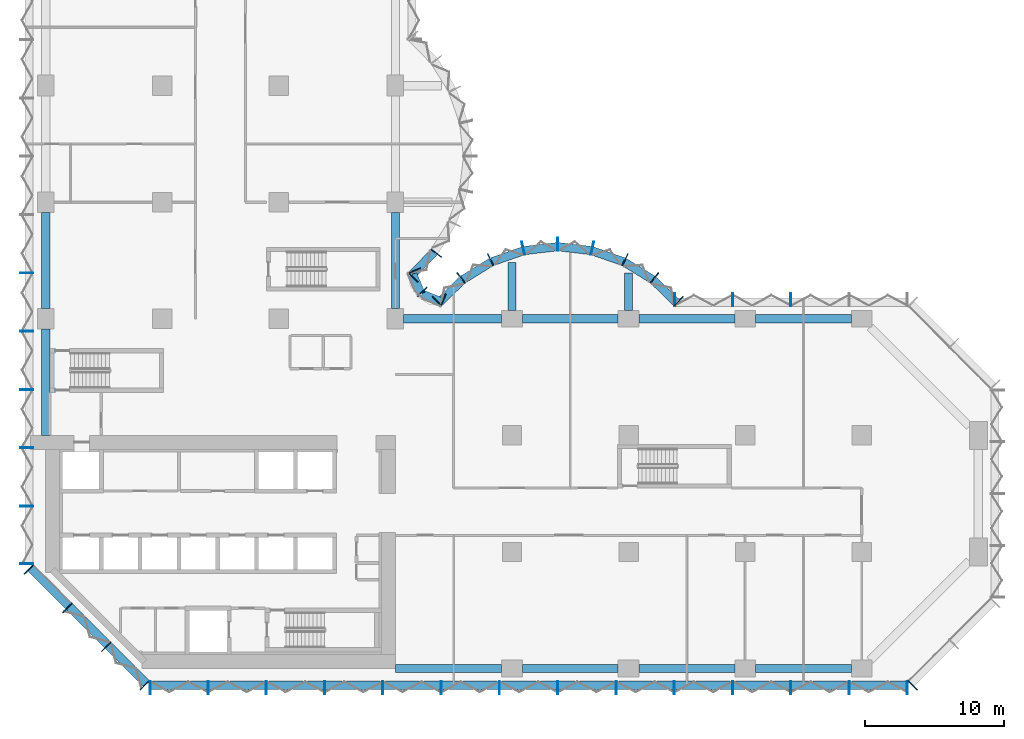
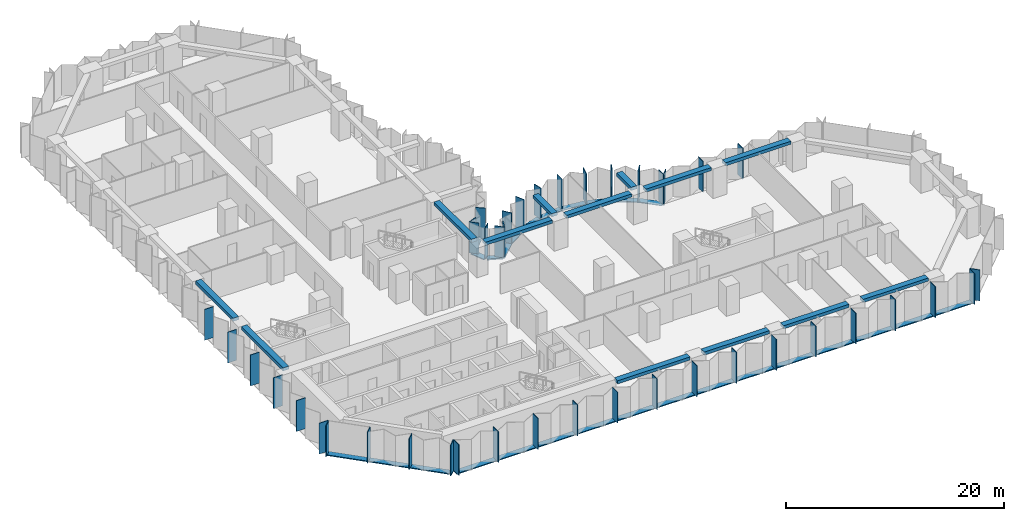
# One storey, part 2 of 15: 55 members, 13 beams, 8 elements without a shape of their own.
"""IFC4 building model written with IfcOpenShell, lengths in metres."""

from ifc_helpers import new_model, si_unit, direction, frame, origin, origin_2d, place, context, subcontext, project, spatial, rectangle, extrude, material, material_profile, profile_set, type_object, element, aggregate, save


model = new_model("IFC4")

# Units and contexts
model_context = context("Model", 3, precision=1e-05, world=origin(), true_north=direction((0.0, 1.0)))
body_context = subcontext(model_context, "Body", "Model", "MODEL_VIEW")
ifc_project = project(units=[si_unit("LENGTHUNIT", "METRE"), si_unit("AREAUNIT", "SQUARE_METRE"), si_unit("VOLUMEUNIT", "CUBIC_METRE"), si_unit("PLANEANGLEUNIT", "RADIAN"), si_unit("MASSUNIT", "GRAM", prefix="KILO")], contexts=[model_context])

# Site, building, storey
site_placement = place(None, origin())
site = spatial("IfcSite", under=ifc_project, at=site_placement, CompositionType="ELEMENT")
building_placement = place(site_placement, origin())
building = spatial("IfcBuilding", under=site, at=building_placement, Name="Brevane Broadcast Tower", CompositionType="ELEMENT")
storey_placement = place(building_placement, frame((0.0, 0.0, 83.300048828125)))
storey = spatial("IfcBuildingStorey", under=building, at=storey_placement, Name="L19", CompositionType="ELEMENT", Elevation=83.300048828125)

# Curtain wall, members
ifc_material_1 = material(Name="Aluminium 6063-T6 bronze anodised", Category="aluminium")
curtain_wall_type = type_object("IfcCurtainWallType", Name="CW-1 curtain wall", PredefinedType="NOTDEFINED", material=ifc_material_1)
curtain_wall_1_placement = place(storey_placement, origin())
curtain_wall_1 = element("IfcCurtainWall", 1, at=curtain_wall_1_placement, inside=storey, type_object=curtain_wall_type, Name="CW-1 typical tilted unit L19 south face", PredefinedType="NOTDEFINED")
ifc_material_profile_1 = material_profile(ifc_material_1, rectangle(XDim=0.949951171875, YDim=0.070068359375, at=origin_2d()), Name="RECT 70x950")
ifc_profile_set_1 = profile_set([ifc_material_profile_1], Name="Aluminium 6063-T6 bronze anodised")
member_type_1 = type_object("IfcMemberType", Name="CW-1 mullion 70x950", PredefinedType="MULLION", material=ifc_profile_set_1)
member_1_placement = place(storey_placement, frame((7.534912109375, -1.375, -0.150146484375), z_axis=(0.0, 0.0, 1.0), x_axis=(0.0, 1.0, 0.0)))
member_1 = element("IfcMember", 2, at=member_1_placement, type_object=member_type_1, Name="CW-1 mullion", PredefinedType="MULLION", context=body_context, shape_type="SweptSolid", body=[
    extrude(rectangle(XDim=0.949951171875, YDim=0.070068359375, at=origin_2d()), origin(), (0.0, 0.0, 1.0), 3.4501953125),
])
member_2_placement = place(storey_placement, frame((11.699951171875, -1.375, -0.150146484375), z_axis=(0.0, 0.0, 1.0), x_axis=(0.0, 1.0, 0.0)))
member_2 = element("IfcMember", 3, at=member_2_placement, type_object=member_type_1, Name="CW-1 mullion", PredefinedType="MULLION", context=body_context, shape_type="SweptSolid", body=[
    extrude(rectangle(XDim=0.949951171875, YDim=0.070068359375, at=origin_2d()), origin(), (0.0, 0.0, 1.0), 3.4501953125),
])
member_3_placement = place(storey_placement, frame((15.89990234375, -1.375, -0.150146484375), z_axis=(0.0, 0.0, 1.0), x_axis=(0.0, 1.0, 0.0)))
member_3 = element("IfcMember", 4, at=member_3_placement, type_object=member_type_1, Name="CW-1 mullion", PredefinedType="MULLION", context=body_context, shape_type="SweptSolid", body=[
    extrude(rectangle(XDim=0.949951171875, YDim=0.070068359375, at=origin_2d()), origin(), (0.0, 0.0, 1.0), 3.4501953125),
])
member_4_placement = place(storey_placement, frame((20.10009765625, -1.375, -0.150146484375), z_axis=(0.0, 0.0, 1.0), x_axis=(0.0, 1.0, 0.0)))
member_4 = element("IfcMember", 5, at=member_4_placement, type_object=member_type_1, Name="CW-1 mullion", PredefinedType="MULLION", context=body_context, shape_type="SweptSolid", body=[
    extrude(rectangle(XDim=0.949951171875, YDim=0.070068359375, at=origin_2d()), origin(), (0.0, 0.0, 1.0), 3.4501953125),
])
member_5_placement = place(storey_placement, frame((24.300048828125, -1.375, -0.150146484375), z_axis=(0.0, 0.0, 1.0), x_axis=(0.0, 1.0, 0.0)))
member_5 = element("IfcMember", 6, at=member_5_placement, type_object=member_type_1, Name="CW-1 mullion", PredefinedType="MULLION", context=body_context, shape_type="SweptSolid", body=[
    extrude(rectangle(XDim=0.949951171875, YDim=0.070068359375, at=origin_2d()), origin(), (0.0, 0.0, 1.0), 3.4501953125),
])
member_6_placement = place(storey_placement, frame((28.5, -1.375, -0.150146484375), z_axis=(0.0, 0.0, 1.0), x_axis=(0.0, 1.0, 0.0)))
member_6 = element("IfcMember", 7, at=member_6_placement, type_object=member_type_1, Name="CW-1 mullion", PredefinedType="MULLION", context=body_context, shape_type="SweptSolid", body=[
    extrude(rectangle(XDim=0.949951171875, YDim=0.070068359375, at=origin_2d()), origin(), (0.0, 0.0, 1.0), 3.4501953125),
])
member_7_placement = place(storey_placement, frame((32.699951171875, -1.375, -0.150146484375), z_axis=(0.0, 0.0, 1.0), x_axis=(0.0, 1.0, 0.0)))
member_7 = element("IfcMember", 8, at=member_7_placement, type_object=member_type_1, Name="CW-1 mullion", PredefinedType="MULLION", context=body_context, shape_type="SweptSolid", body=[
    extrude(rectangle(XDim=0.949951171875, YDim=0.070068359375, at=origin_2d()), origin(), (0.0, 0.0, 1.0), 3.4501953125),
])
member_8_placement = place(storey_placement, frame((36.89990234375, -1.375, -0.150146484375), z_axis=(0.0, 0.0, 1.0), x_axis=(0.0, 1.0, 0.0)))
member_8 = element("IfcMember", 9, at=member_8_placement, type_object=member_type_1, Name="CW-1 mullion", PredefinedType="MULLION", context=body_context, shape_type="SweptSolid", body=[
    extrude(rectangle(XDim=0.949951171875, YDim=0.070068359375, at=origin_2d()), origin(), (0.0, 0.0, 1.0), 3.4501953125),
])
member_9_placement = place(storey_placement, frame((41.10009765625, -1.375, -0.150146484375), z_axis=(0.0, 0.0, 1.0), x_axis=(0.0, 1.0, 0.0)))
member_9 = element("IfcMember", 10, at=member_9_placement, type_object=member_type_1, Name="CW-1 mullion", PredefinedType="MULLION", context=body_context, shape_type="SweptSolid", body=[
    extrude(rectangle(XDim=0.949951171875, YDim=0.070068359375, at=origin_2d()), origin(), (0.0, 0.0, 1.0), 3.4501953125),
])
member_10_placement = place(storey_placement, frame((45.300048828125, -1.375, -0.150146484375), z_axis=(0.0, 0.0, 1.0), x_axis=(0.0, 1.0, 0.0)))
member_10 = element("IfcMember", 11, at=member_10_placement, type_object=member_type_1, Name="CW-1 mullion", PredefinedType="MULLION", context=body_context, shape_type="SweptSolid", body=[
    extrude(rectangle(XDim=0.949951171875, YDim=0.070068359375, at=origin_2d()), origin(), (0.0, 0.0, 1.0), 3.4501953125),
])
member_11_placement = place(storey_placement, frame((49.5, -1.375, -0.150146484375), z_axis=(0.0, 0.0, 1.0), x_axis=(0.0, 1.0, 0.0)))
member_11 = element("IfcMember", 12, at=member_11_placement, type_object=member_type_1, Name="CW-1 mullion", PredefinedType="MULLION", context=body_context, shape_type="SweptSolid", body=[
    extrude(rectangle(XDim=0.949951171875, YDim=0.070068359375, at=origin_2d()), origin(), (0.0, 0.0, 1.0), 3.4501953125),
])
member_12_placement = place(storey_placement, frame((53.699951171875, -1.375, -0.150146484375), z_axis=(0.0, 0.0, 1.0), x_axis=(0.0, 1.0, 0.0)))
member_12 = element("IfcMember", 13, at=member_12_placement, type_object=member_type_1, Name="CW-1 mullion", PredefinedType="MULLION", context=body_context, shape_type="SweptSolid", body=[
    extrude(rectangle(XDim=0.949951171875, YDim=0.070068359375, at=origin_2d()), origin(), (0.0, 0.0, 1.0), 3.4501953125),
])
member_13_placement = place(storey_placement, frame((57.89990234375, -1.375, -0.150146484375), z_axis=(0.0, 0.0, 1.0), x_axis=(0.0, 1.0, 0.0)))
member_13 = element("IfcMember", 14, at=member_13_placement, type_object=member_type_1, Name="CW-1 mullion", PredefinedType="MULLION", context=body_context, shape_type="SweptSolid", body=[
    extrude(rectangle(XDim=0.949951171875, YDim=0.070068359375, at=origin_2d()), origin(), (0.0, 0.0, 1.0), 3.4501953125),
])
member_14_placement = place(storey_placement, frame((62.06494140625, -1.375, -0.150146484375), z_axis=(0.0, 0.0, 1.0), x_axis=(0.0, 1.0, 0.0)))
member_14 = element("IfcMember", 15, at=member_14_placement, type_object=member_type_1, Name="CW-1 mullion", PredefinedType="MULLION", context=body_context, shape_type="SweptSolid", body=[
    extrude(rectangle(XDim=0.949951171875, YDim=0.070068359375, at=origin_2d()), origin(), (0.0, 0.0, 1.0), 3.4501953125),
])

# Curtain wall, member
curtain_wall_2_placement = place(storey_placement, origin())
curtain_wall_2 = element("IfcCurtainWall", 16, at=curtain_wall_2_placement, inside=storey, type_object=curtain_wall_type, Name="CW-1 typical tilted unit L19 south-east chamfer", PredefinedType="NOTDEFINED")
member_15_placement = place(storey_placement, frame((62.460693359375, -1.211181640625, -0.150146484375), z_axis=(0.0, 0.0, 1.0), x_axis=(-0.707106781187, 0.707106781187, 0.0)))
member_15 = element("IfcMember", 17, at=member_15_placement, type_object=member_type_1, Name="CW-1 mullion", PredefinedType="MULLION", context=body_context, shape_type="SweptSolid", body=[
    extrude(rectangle(XDim=0.949951171875, YDim=0.070068359375, at=origin_2d()), origin(), (0.0, 0.0, 1.0), 3.4501953125),
])
aggregate(curtain_wall_2, [member_15])

# Curtain wall, members
curtain_wall_3_placement = place(storey_placement, origin())
curtain_wall_3 = element("IfcCurtainWall", 18, at=curtain_wall_3_placement, inside=storey, type_object=curtain_wall_type, Name="CW-1 typical tilted unit L19 east arm north face", PredefinedType="NOTDEFINED")
member_16_placement = place(storey_placement, frame((53.699951171875, 26.574951171875, -0.150146484375), z_axis=(0.0, 0.0, 1.0), x_axis=(0.0, -1.0, 0.0)))
member_16 = element("IfcMember", 19, at=member_16_placement, type_object=member_type_1, Name="CW-1 mullion", PredefinedType="MULLION", context=body_context, shape_type="SweptSolid", body=[
    extrude(rectangle(XDim=0.949951171875, YDim=0.070068359375, at=origin_2d()), origin(), (0.0, 0.0, 1.0), 3.4501953125),
])
member_17_placement = place(storey_placement, frame((49.5, 26.574951171875, -0.150146484375), z_axis=(0.0, 0.0, 1.0), x_axis=(0.0, -1.0, 0.0)))
member_17 = element("IfcMember", 20, at=member_17_placement, type_object=member_type_1, Name="CW-1 mullion", PredefinedType="MULLION", context=body_context, shape_type="SweptSolid", body=[
    extrude(rectangle(XDim=0.949951171875, YDim=0.070068359375, at=origin_2d()), origin(), (0.0, 0.0, 1.0), 3.4501953125),
])
member_18_placement = place(storey_placement, frame((45.3349609375, 26.574951171875, -0.150146484375), z_axis=(0.0, 0.0, 1.0), x_axis=(0.0, -1.0, 0.0)))
member_18 = element("IfcMember", 21, at=member_18_placement, type_object=member_type_1, Name="CW-1 mullion", PredefinedType="MULLION", context=body_context, shape_type="SweptSolid", body=[
    extrude(rectangle(XDim=0.949951171875, YDim=0.070068359375, at=origin_2d()), origin(), (0.0, 0.0, 1.0), 3.4501953125),
])
aggregate(curtain_wall_3, [member_16, member_17, member_18])

curtain_wall_4_placement = place(storey_placement, origin())
curtain_wall_4 = element("IfcCurtainWall", 22, at=curtain_wall_4_placement, inside=storey, type_object=curtain_wall_type, Name="CW-1 typical tilted unit L19 east bow", PredefinedType="NOTDEFINED")
member_19_placement = place(storey_placement, frame((45.60595703125, 26.465087890625, -0.150146484375), z_axis=(0.0, 0.0, 1.0), x_axis=(-0.696811941702, -0.717253872699, 0.0)))
member_19 = element("IfcMember", 23, at=member_19_placement, type_object=member_type_1, Name="CW-1 mullion", PredefinedType="MULLION", context=body_context, shape_type="SweptSolid", body=[
    extrude(rectangle(XDim=0.949951171875, YDim=0.070068359375, at=origin_2d()), origin(), (0.0, 0.0, 1.0), 3.4501953125),
])
member_20_placement = place(storey_placement, frame((43.8720703125, 28.1455078125, -0.150146484375), z_axis=(0.0, 0.0, 1.0), x_axis=(-0.614769738617, -0.788706642853, 0.0)))
member_20 = element("IfcMember", 24, at=member_20_placement, type_object=member_type_1, Name="CW-1 mullion", PredefinedType="MULLION", context=body_context, shape_type="SweptSolid", body=[
    extrude(rectangle(XDim=0.949951171875, YDim=0.070068359375, at=origin_2d()), origin(), (0.0, 0.0, 1.0), 3.4501953125),
])
member_21_placement = place(storey_placement, frame((41.746826171875, 29.4580078125, -0.150146484375), z_axis=(0.0, 0.0, 1.0), x_axis=(-0.429933601163, -0.902860508933, 0.0)))
member_21 = element("IfcMember", 25, at=member_21_placement, type_object=member_type_1, Name="CW-1 mullion", PredefinedType="MULLION", context=body_context, shape_type="SweptSolid", body=[
    extrude(rectangle(XDim=0.949951171875, YDim=0.070068359375, at=origin_2d()), origin(), (0.0, 0.0, 1.0), 3.4501953125),
])
member_22_placement = place(storey_placement, frame((39.38818359375, 30.28076171875, -0.150146484375), z_axis=(0.0, 0.0, 1.0), x_axis=(-0.224806482215, -0.974403430594, 0.0)))
member_22 = element("IfcMember", 26, at=member_22_placement, type_object=member_type_1, Name="CW-1 mullion", PredefinedType="MULLION", context=body_context, shape_type="SweptSolid", body=[
    extrude(rectangle(XDim=0.949951171875, YDim=0.070068359375, at=origin_2d()), origin(), (0.0, 0.0, 1.0), 3.4501953125),
])
member_23_placement = place(storey_placement, frame((36.89990234375, 30.574951171875, -0.150146484375), z_axis=(0.0, 0.0, 1.0), x_axis=(0.0, -1.0, 0.0)))
member_23 = element("IfcMember", 27, at=member_23_placement, type_object=member_type_1, Name="CW-1 mullion", PredefinedType="MULLION", context=body_context, shape_type="SweptSolid", body=[
    extrude(rectangle(XDim=0.949951171875, YDim=0.070068359375, at=origin_2d()), origin(), (0.0, 0.0, 1.0), 3.4501953125),
])
member_24_placement = place(storey_placement, frame((34.411865234375, 30.28076171875, -0.150146484375), z_axis=(0.0, 0.0, 1.0), x_axis=(0.224806482215, -0.974403430594, 0.0)))
member_24 = element("IfcMember", 28, at=member_24_placement, type_object=member_type_1, Name="CW-1 mullion", PredefinedType="MULLION", context=body_context, shape_type="SweptSolid", body=[
    extrude(rectangle(XDim=0.949951171875, YDim=0.070068359375, at=origin_2d()), origin(), (0.0, 0.0, 1.0), 3.4501953125),
])
member_25_placement = place(storey_placement, frame((32.05322265625, 29.4580078125, -0.150146484375), z_axis=(0.0, 0.0, 1.0), x_axis=(0.429933601163, -0.902860508933, 0.0)))
member_25 = element("IfcMember", 29, at=member_25_placement, type_object=member_type_1, Name="CW-1 mullion", PredefinedType="MULLION", context=body_context, shape_type="SweptSolid", body=[
    extrude(rectangle(XDim=0.949951171875, YDim=0.070068359375, at=origin_2d()), origin(), (0.0, 0.0, 1.0), 3.4501953125),
])
member_26_placement = place(storey_placement, frame((29.927978515625, 28.1455078125, -0.150146484375), z_axis=(0.0, 0.0, 1.0), x_axis=(0.614769738617, -0.788706642853, 0.0)))
member_26 = element("IfcMember", 30, at=member_26_placement, type_object=member_type_1, Name="CW-1 mullion", PredefinedType="MULLION", context=body_context, shape_type="SweptSolid", body=[
    extrude(rectangle(XDim=0.949951171875, YDim=0.070068359375, at=origin_2d()), origin(), (0.0, 0.0, 1.0), 3.4501953125),
])
member_27_placement = place(storey_placement, frame((28.194091796875, 26.465087890625, -0.150146484375), z_axis=(0.0, 0.0, 1.0), x_axis=(0.696811941702, -0.717253872699, 0.0)))
member_27 = element("IfcMember", 31, at=member_27_placement, type_object=member_type_1, Name="CW-1 mullion", PredefinedType="MULLION", context=body_context, shape_type="SweptSolid", body=[
    extrude(rectangle(XDim=0.949951171875, YDim=0.070068359375, at=origin_2d()), origin(), (0.0, 0.0, 1.0), 3.4501953125),
])

curtain_wall_5_placement = place(storey_placement, origin())
curtain_wall_5 = element("IfcCurtainWall", 32, at=curtain_wall_5_placement, inside=storey, type_object=curtain_wall_type, Name="CW-1 typical tilted unit L19 inner corner", PredefinedType="NOTDEFINED")
member_28_placement = place(storey_placement, frame((28.6494140625, 26.55224609375, -0.150146484375), z_axis=(0.0, 0.0, 1.0), x_axis=(-0.382683612978, -0.923879457699, 0.0)))
member_28 = element("IfcMember", 33, at=member_28_placement, type_object=member_type_1, Name="CW-1 mullion", PredefinedType="MULLION", context=body_context, shape_type="SweptSolid", body=[
    extrude(rectangle(XDim=0.949951171875, YDim=0.070068359375, at=origin_2d()), origin(), (0.0, 0.0, 1.0), 3.4501953125),
])
member_29_placement = place(storey_placement, frame((27.138916015625, 27.138916015625, -0.150146484375), z_axis=(0.0, 0.0, 1.0), x_axis=(-0.707106781187, -0.707106781187, 0.0)))
member_29 = element("IfcMember", 34, at=member_29_placement, type_object=member_type_1, Name="CW-1 mullion", PredefinedType="MULLION", context=body_context, shape_type="SweptSolid", body=[
    extrude(rectangle(XDim=0.949951171875, YDim=0.070068359375, at=origin_2d()), origin(), (0.0, 0.0, 1.0), 3.4501953125),
])
member_30_placement = place(storey_placement, frame((26.55224609375, 28.6494140625, -0.150146484375), z_axis=(0.0, 0.0, 1.0), x_axis=(-0.923879457699, -0.382683612978, 0.0)))
member_30 = element("IfcMember", 35, at=member_30_placement, type_object=member_type_1, Name="CW-1 mullion", PredefinedType="MULLION", context=body_context, shape_type="SweptSolid", body=[
    extrude(rectangle(XDim=0.949951171875, YDim=0.070068359375, at=origin_2d()), origin(), (0.0, 0.0, 1.0), 3.4501953125),
])

curtain_wall_6_placement = place(storey_placement, origin())
curtain_wall_6 = element("IfcCurtainWall", 36, at=curtain_wall_6_placement, inside=storey, type_object=curtain_wall_type, Name="CW-1 typical tilted unit L19 north bow", PredefinedType="NOTDEFINED")
member_31_placement = place(storey_placement, frame((26.465087890625, 28.194091796875, -0.150146484375), z_axis=(0.0, 0.0, 1.0), x_axis=(-0.717253872699, 0.696811941702, 0.0)))
member_31 = element("IfcMember", 37, at=member_31_placement, type_object=member_type_1, Name="CW-1 mullion", PredefinedType="MULLION", context=body_context, shape_type="SweptSolid", body=[
    extrude(rectangle(XDim=0.949951171875, YDim=0.070068359375, at=origin_2d()), origin(), (0.0, 0.0, 1.0), 3.4501953125),
])
member_32_placement = place(storey_placement, frame((28.1455078125, 29.927978515625, -0.150146484375), z_axis=(0.0, 0.0, 1.0), x_axis=(-0.788706642853, 0.614769738617, 0.0)))
member_32 = element("IfcMember", 38, at=member_32_placement, type_object=member_type_1, Name="CW-1 mullion", PredefinedType="MULLION", context=body_context, shape_type="SweptSolid", body=[
    extrude(rectangle(XDim=0.949951171875, YDim=0.070068359375, at=origin_2d()), origin(), (0.0, 0.0, 1.0), 3.4501953125),
])

curtain_wall_7_placement = place(storey_placement, origin())
curtain_wall_7 = element("IfcCurtainWall", 39, at=curtain_wall_7_placement, inside=storey, type_object=curtain_wall_type, Name="CW-1 typical tilted unit L19 west face", PredefinedType="NOTDEFINED")
member_33_placement = place(storey_placement, frame((-1.375, 28.5, -0.150146484375), z_axis=(0.0, 0.0, 1.0), x_axis=(1.0, 0.0, 0.0)))
member_33 = element("IfcMember", 40, at=member_33_placement, type_object=member_type_1, Name="CW-1 mullion", PredefinedType="MULLION", context=body_context, shape_type="SweptSolid", body=[
    extrude(rectangle(XDim=0.949951171875, YDim=0.070068359375, at=origin_2d()), origin(), (0.0, 0.0, 1.0), 3.4501953125),
])
member_34_placement = place(storey_placement, frame((-1.375, 24.300048828125, -0.150146484375), z_axis=(0.0, 0.0, 1.0), x_axis=(1.0, 0.0, 0.0)))
member_34 = element("IfcMember", 41, at=member_34_placement, type_object=member_type_1, Name="CW-1 mullion", PredefinedType="MULLION", context=body_context, shape_type="SweptSolid", body=[
    extrude(rectangle(XDim=0.949951171875, YDim=0.070068359375, at=origin_2d()), origin(), (0.0, 0.0, 1.0), 3.4501953125),
])
member_35_placement = place(storey_placement, frame((-1.375, 20.10009765625, -0.150146484375), z_axis=(0.0, 0.0, 1.0), x_axis=(1.0, 0.0, 0.0)))
member_35 = element("IfcMember", 42, at=member_35_placement, type_object=member_type_1, Name="CW-1 mullion", PredefinedType="MULLION", context=body_context, shape_type="SweptSolid", body=[
    extrude(rectangle(XDim=0.949951171875, YDim=0.070068359375, at=origin_2d()), origin(), (0.0, 0.0, 1.0), 3.4501953125),
])
member_36_placement = place(storey_placement, frame((-1.375, 15.89990234375, -0.150146484375), z_axis=(0.0, 0.0, 1.0), x_axis=(1.0, 0.0, 0.0)))
member_36 = element("IfcMember", 43, at=member_36_placement, type_object=member_type_1, Name="CW-1 mullion", PredefinedType="MULLION", context=body_context, shape_type="SweptSolid", body=[
    extrude(rectangle(XDim=0.949951171875, YDim=0.070068359375, at=origin_2d()), origin(), (0.0, 0.0, 1.0), 3.4501953125),
])
member_37_placement = place(storey_placement, frame((-1.375, 11.699951171875, -0.150146484375), z_axis=(0.0, 0.0, 1.0), x_axis=(1.0, 0.0, 0.0)))
member_37 = element("IfcMember", 44, at=member_37_placement, type_object=member_type_1, Name="CW-1 mullion", PredefinedType="MULLION", context=body_context, shape_type="SweptSolid", body=[
    extrude(rectangle(XDim=0.949951171875, YDim=0.070068359375, at=origin_2d()), origin(), (0.0, 0.0, 1.0), 3.4501953125),
])
member_38_placement = place(storey_placement, frame((-1.375, 7.534912109375, -0.150146484375), z_axis=(0.0, 0.0, 1.0), x_axis=(1.0, 0.0, 0.0)))
member_38 = element("IfcMember", 45, at=member_38_placement, type_object=member_type_1, Name="CW-1 mullion", PredefinedType="MULLION", context=body_context, shape_type="SweptSolid", body=[
    extrude(rectangle(XDim=0.949951171875, YDim=0.070068359375, at=origin_2d()), origin(), (0.0, 0.0, 1.0), 3.4501953125),
])
aggregate(curtain_wall_7, [member_33, member_34, member_35, member_36, member_37, member_38])

curtain_wall_8_placement = place(storey_placement, origin())
curtain_wall_8 = element("IfcCurtainWall", 46, at=curtain_wall_8_placement, inside=storey, type_object=curtain_wall_type, Name="CW-1 typical tilted unit L19 south-west chamfer", PredefinedType="NOTDEFINED")
member_39_placement = place(storey_placement, frame((-1.211181640625, 7.139404296875, -0.150146484375), z_axis=(0.0, 0.0, 1.0), x_axis=(0.707106781187, 0.707106781187, 0.0)))
member_39 = element("IfcMember", 47, at=member_39_placement, type_object=member_type_1, Name="CW-1 mullion", PredefinedType="MULLION", context=body_context, shape_type="SweptSolid", body=[
    extrude(rectangle(XDim=0.949951171875, YDim=0.070068359375, at=origin_2d()), origin(), (0.0, 0.0, 1.0), 3.4501953125),
])
member_40_placement = place(storey_placement, frame((1.564208984375, 4.364013671875, -0.150146484375), z_axis=(0.0, 0.0, 1.0), x_axis=(0.707106781187, 0.707106781187, 0.0)))
member_40 = element("IfcMember", 48, at=member_40_placement, type_object=member_type_1, Name="CW-1 mullion", PredefinedType="MULLION", context=body_context, shape_type="SweptSolid", body=[
    extrude(rectangle(XDim=0.949951171875, YDim=0.070068359375, at=origin_2d()), origin(), (0.0, 0.0, 1.0), 3.4501953125),
])
member_41_placement = place(storey_placement, frame((4.364013671875, 1.564208984375, -0.150146484375), z_axis=(0.0, 0.0, 1.0), x_axis=(0.707106781187, 0.707106781187, 0.0)))
member_41 = element("IfcMember", 49, at=member_41_placement, type_object=member_type_1, Name="CW-1 mullion", PredefinedType="MULLION", context=body_context, shape_type="SweptSolid", body=[
    extrude(rectangle(XDim=0.949951171875, YDim=0.070068359375, at=origin_2d()), origin(), (0.0, 0.0, 1.0), 3.4501953125),
])
member_42_placement = place(storey_placement, frame((7.139404296875, -1.211181640625, -0.150146484375), z_axis=(0.0, 0.0, 1.0), x_axis=(0.707106781187, 0.707106781187, 0.0)))
member_42 = element("IfcMember", 50, at=member_42_placement, type_object=member_type_1, Name="CW-1 mullion", PredefinedType="MULLION", context=body_context, shape_type="SweptSolid", body=[
    extrude(rectangle(XDim=0.949951171875, YDim=0.070068359375, at=origin_2d()), origin(), (0.0, 0.0, 1.0), 3.4501953125),
])

# Member
ifc_material_profile_2 = material_profile(ifc_material_1, rectangle(XDim=0.60009765625, YDim=0.10009765625, at=origin_2d()), Name="RECT 100x600")
ifc_profile_set_2 = profile_set([ifc_material_profile_2], Name="Aluminium 6063-T6 bronze anodised")
member_type_2 = type_object("IfcMemberType", Name="CW-1 transom 100x600", PredefinedType="USERDEFINED", material=ifc_profile_set_2)
member_43_placement = place(storey_placement, frame((7.5, -1.199951171875, -0.199951171875), z_axis=(1.0, 0.0, 0.0), x_axis=(0.0, 1.0, 0.0)))
member_43 = element("IfcMember", 51, at=member_43_placement, type_object=member_type_2, Name="CW-1 transom", ObjectType="TRANSOM", PredefinedType="USERDEFINED", context=body_context, shape_type="SweptSolid", body=[
    extrude(rectangle(XDim=0.60009765625, YDim=0.10009765625, at=origin_2d()), origin(), (0.0, 0.0, 1.0), 54.60009765625),
])

aggregate(curtain_wall_1, [member_1, member_2, member_3, member_4, member_5, member_6, member_7, member_8, member_9, member_10, member_11, member_12, member_13, member_14, member_43])

member_44_placement = place(storey_placement, frame((45.412841796875, 26.407958984375, -0.199951171875), z_axis=(-0.71724215871, 0.696823999134, 0.0), x_axis=(-0.696823999134, -0.71724215871, 0.0)))
member_44 = element("IfcMember", 52, at=member_44_placement, type_object=member_type_2, Name="CW-1 transom", ObjectType="TRANSOM", PredefinedType="USERDEFINED", context=body_context, shape_type="SweptSolid", body=[
    extrude(rectangle(XDim=0.60009765625, YDim=0.10009765625, at=origin_2d()), origin(), (0.0, 0.0, 1.0), 2.247802734375),
])

member_45_placement = place(storey_placement, frame((43.7421875, 28.023193359375, -0.199951171875), z_axis=(-0.850810063131, 0.525473345162, 0.0), x_axis=(-0.525473345162, -0.850810063131, 0.0)))
member_45 = element("IfcMember", 53, at=member_45_placement, type_object=member_type_2, Name="CW-1 transom", ObjectType="TRANSOM", PredefinedType="USERDEFINED", context=body_context, shape_type="SweptSolid", body=[
    extrude(rectangle(XDim=0.60009765625, YDim=0.10009765625, at=origin_2d()), origin(), (0.0, 0.0, 1.0), 2.39453125),
])

member_46_placement = place(storey_placement, frame((41.63623046875, 29.314208984375, -0.199951171875), z_axis=(-0.944197969542, 0.329378497041, 0.0), x_axis=(-0.329378497041, -0.944197969542, 0.0)))
member_46 = element("IfcMember", 54, at=member_46_placement, type_object=member_type_2, Name="CW-1 transom", ObjectType="TRANSOM", PredefinedType="USERDEFINED", context=body_context, shape_type="SweptSolid", body=[
    extrude(rectangle(XDim=0.60009765625, YDim=0.10009765625, at=origin_2d()), origin(), (0.0, 0.0, 1.0), 2.394775390625),
])

member_47_placement = place(storey_placement, frame((39.30029296875, 30.117431640625, -0.199951171875), z_axis=(-0.993062061831, 0.117591417, 0.0), x_axis=(-0.117591417, -0.993062061831, 0.0)))
member_47 = element("IfcMember", 55, at=member_47_placement, type_object=member_type_2, Name="CW-1 transom", ObjectType="TRANSOM", PredefinedType="USERDEFINED", context=body_context, shape_type="SweptSolid", body=[
    extrude(rectangle(XDim=0.60009765625, YDim=0.10009765625, at=origin_2d()), origin(), (0.0, 0.0, 1.0), 2.39794921875),
])

member_48_placement = place(storey_placement, frame((36.880859375, 30.3994140625, -0.199951171875), z_axis=(-0.993060653805, -0.117603307202, 0.0), x_axis=(0.117603307202, -0.993060653805, 0.0)))
member_48 = element("IfcMember", 56, at=member_48_placement, type_object=member_type_2, Name="CW-1 transom", ObjectType="TRANSOM", PredefinedType="USERDEFINED", context=body_context, shape_type="SweptSolid", body=[
    extrude(rectangle(XDim=0.60009765625, YDim=0.10009765625, at=origin_2d()), origin(), (0.0, 0.0, 1.0), 2.397705078125),
])

member_49_placement = place(storey_placement, frame((34.425048828125, 30.10302734375, -0.199951171875), z_axis=(-0.944197969542, -0.329378497041, 0.0), x_axis=(0.329378497041, -0.944197969542, 0.0)))
member_49 = element("IfcMember", 57, at=member_49_placement, type_object=member_type_2, Name="CW-1 transom", ObjectType="TRANSOM", PredefinedType="USERDEFINED", context=body_context, shape_type="SweptSolid", body=[
    extrude(rectangle(XDim=0.60009765625, YDim=0.10009765625, at=origin_2d()), origin(), (0.0, 0.0, 1.0), 2.394775390625),
])

member_50_placement = place(storey_placement, frame((32.09521484375, 29.281494140625, -0.199951171875), z_axis=(-0.850838211365, -0.525427766759, 0.0), x_axis=(0.525427766759, -0.850838211365, 0.0)))
member_50 = element("IfcMember", 58, at=member_50_placement, type_object=member_type_2, Name="CW-1 transom", ObjectType="TRANSOM", PredefinedType="USERDEFINED", context=body_context, shape_type="SweptSolid", body=[
    extrude(rectangle(XDim=0.60009765625, YDim=0.10009765625, at=origin_2d()), origin(), (0.0, 0.0, 1.0), 2.394775390625),
])

member_51_placement = place(storey_placement, frame((29.99951171875, 27.974365234375, -0.199951171875), z_axis=(-0.71724215871, -0.696823999134, 0.0), x_axis=(0.696823999134, -0.71724215871, 0.0)))
member_51 = element("IfcMember", 59, at=member_51_placement, type_object=member_type_2, Name="CW-1 transom", ObjectType="TRANSOM", PredefinedType="USERDEFINED", context=body_context, shape_type="SweptSolid", body=[
    extrude(rectangle(XDim=0.60009765625, YDim=0.10009765625, at=origin_2d()), origin(), (0.0, 0.0, 1.0), 2.247802734375),
])

aggregate(curtain_wall_4, [member_19, member_20, member_21, member_22, member_23, member_24, member_25, member_26, member_27, member_44, member_45, member_46, member_47, member_48, member_49, member_50, member_51])

member_52_placement = place(storey_placement, frame((28.528076171875, 26.40673828125, -0.199951171875), z_axis=(-0.923883243627, 0.382674472816, 0.0), x_axis=(-0.382674472816, -0.923883243627, 0.0)))
member_52 = element("IfcMember", 60, at=member_52_placement, type_object=member_type_2, Name="CW-1 transom", ObjectType="TRANSOM", PredefinedType="USERDEFINED", context=body_context, shape_type="SweptSolid", body=[
    extrude(rectangle(XDim=0.60009765625, YDim=0.10009765625, at=origin_2d()), origin(), (0.0, 0.0, 1.0), 1.536865234375),
])

member_53_placement = place(storey_placement, frame((27.039794921875, 27.0, -0.199951171875), z_axis=(-0.382674472816, 0.923883243627, 0.0), x_axis=(-0.923883243627, -0.382674472816, 0.0)))
member_53 = element("IfcMember", 61, at=member_53_placement, type_object=member_type_2, Name="CW-1 transom", ObjectType="TRANSOM", PredefinedType="USERDEFINED", context=body_context, shape_type="SweptSolid", body=[
    extrude(rectangle(XDim=0.60009765625, YDim=0.10009765625, at=origin_2d()), origin(), (0.0, 0.0, 1.0), 1.536865234375),
])

aggregate(curtain_wall_5, [member_28, member_29, member_30, member_52, member_53])

member_54_placement = place(storey_placement, frame((26.407958984375, 28.38720703125, -0.199951171875), z_axis=(0.696823999134, 0.71724215871, 0.0), x_axis=(-0.71724215871, 0.696823999134, 0.0)))
member_54 = element("IfcMember", 62, at=member_54_placement, type_object=member_type_2, Name="CW-1 transom", ObjectType="TRANSOM", PredefinedType="USERDEFINED", context=body_context, shape_type="SweptSolid", body=[
    extrude(rectangle(XDim=0.60009765625, YDim=0.10009765625, at=origin_2d()), origin(), (0.0, 0.0, 1.0), 2.247802734375),
])

aggregate(curtain_wall_6, [member_31, member_32, member_54])

member_55_placement = place(storey_placement, frame((-1.112060546875, 7.287841796875, -0.199951171875), z_axis=(0.707106781187, -0.707106781187, 0.0), x_axis=(0.707106781187, 0.707106781187, 0.0)))
member_55 = element("IfcMember", 63, at=member_55_placement, type_object=member_type_2, Name="CW-1 transom", ObjectType="TRANSOM", PredefinedType="USERDEFINED", context=body_context, shape_type="SweptSolid", body=[
    extrude(rectangle(XDim=0.60009765625, YDim=0.10009765625, at=origin_2d()), origin(), (0.0, 0.0, 1.0), 11.879150390625),
])

aggregate(curtain_wall_8, [member_39, member_40, member_41, member_42, member_55])

# Beams
ifc_material_2 = material(Name="Concrete C40/50", Category="concrete")
ifc_material_profile_3 = material_profile(ifc_material_2, rectangle(XDim=0.60009765625, YDim=0.35009765625, at=origin_2d()), Name="RC 600x350")
ifc_profile_set_3 = profile_set([ifc_material_profile_3], Name="Concrete C40/50")
beam_type_1 = type_object("IfcBeamType", Name="RC BRACKET BEAM 600x350 C40/50", PredefinedType="BEAM", material=ifc_profile_set_3)
beam_1_placement = place(storey_placement, frame((33.60009765625, 25.800048828125, 3.125), z_axis=(0.0, 1.0, 0.0), x_axis=(-1.0, 0.0, 0.0)))
element("IfcBeam", 64, at=beam_1_placement, inside=storey, type_object=beam_type_1, Name="EB2 L19-3", PredefinedType="BEAM", context=body_context, shape_type="SweptSolid", body=[
    extrude(rectangle(XDim=0.60009765625, YDim=0.35009765625, at=origin_2d()), origin(), (0.0, 0.0, 1.0), 3.4619140625),
])
beam_2_placement = place(storey_placement, frame((42.0, 25.800048828125, 3.125), z_axis=(0.0, 1.0, 0.0), x_axis=(-1.0, 0.0, 0.0)))
element("IfcBeam", 65, at=beam_2_placement, inside=storey, type_object=beam_type_1, Name="EB2 L19-4", PredefinedType="BEAM", context=body_context, shape_type="SweptSolid", body=[
    extrude(rectangle(XDim=0.60009765625, YDim=0.35009765625, at=origin_2d()), origin(), (0.0, 0.0, 1.0), 2.71142578125),
])
ifc_material_profile_4 = material_profile(ifc_material_2, rectangle(XDim=0.60009765625, YDim=0.35009765625, at=origin_2d()), Name="RC 600x350")
ifc_profile_set_4 = profile_set([ifc_material_profile_4], Name="Concrete C40/50")
beam_type_2 = type_object("IfcBeamType", Name="RC SPANDREL BEAM 600x350 C40/50", PredefinedType="SPANDREL", material=ifc_profile_set_4)
beam_3_placement = place(storey_placement, frame((25.199951171875, 0.0, 3.125), z_axis=(1.0, 0.0, 0.0), x_axis=(0.0, 1.0, 0.0)))
element("IfcBeam", 66, at=beam_3_placement, inside=storey, type_object=beam_type_2, Name="EB1 L19-1", PredefinedType="SPANDREL", context=body_context, shape_type="SweptSolid", body=[
    extrude(rectangle(XDim=0.60009765625, YDim=0.35009765625, at=origin_2d()), origin(), (0.0, 0.0, 1.0), 7.650146484375),
])
for number, where, z_axis, x_axis, name in (
    (67, (34.35009765625, 0.0, 3.125), (1.0, 0.0, 0.0), (0.0, 1.0, 0.0), "EB1 L19-2"),
    (68, (42.75, 0.0, 3.125), (1.0, 0.0, 0.0), (0.0, 1.0, 0.0), "EB1 L19-3"),
):
    element("IfcBeam", number, at=place(storey_placement, frame(where, z_axis=z_axis, x_axis=x_axis)), inside=storey, type_object=beam_type_2, Name=name, PredefinedType="SPANDREL", context=body_context, shape_type="SweptSolid", body=[
        extrude(rectangle(XDim=0.60009765625, YDim=0.35009765625, at=origin_2d()), origin(), (0.0, 0.0, 1.0), 6.89990234375),
    ])
for number, where, z_axis, x_axis, name in (
    (69, (51.14990234375, 0.0, 3.125), (1.0, 0.0, 0.0), (0.0, 1.0, 0.0), "EB1 L19-4"),
    (70, (58.050048828125, 25.199951171875, 3.125), (-1.0, 0.0, 0.0), (0.0, -1.0, 0.0), "EB1 L19-8"),
):
    element("IfcBeam", number, at=place(storey_placement, frame(where, z_axis=z_axis, x_axis=x_axis)), inside=storey, type_object=beam_type_2, Name=name, PredefinedType="SPANDREL", context=body_context, shape_type="SweptSolid", body=[
        extrude(rectangle(XDim=0.60009765625, YDim=0.35009765625, at=origin_2d()), origin(), (0.0, 0.0, 1.0), 6.900146484375),
    ])
for number, where, z_axis, x_axis, name in (
    (71, (49.64990234375, 25.199951171875, 3.125), (-1.0, 0.0, 0.0), (0.0, -1.0, 0.0), "EB1 L19-9"),
    (72, (41.25, 25.199951171875, 3.125), (-1.0, 0.0, 0.0), (0.0, -1.0, 0.0), "EB1 L19-10"),
):
    element("IfcBeam", number, at=place(storey_placement, frame(where, z_axis=z_axis, x_axis=x_axis)), inside=storey, type_object=beam_type_2, Name=name, PredefinedType="SPANDREL", context=body_context, shape_type="SweptSolid", body=[
        extrude(rectangle(XDim=0.60009765625, YDim=0.35009765625, at=origin_2d()), origin(), (0.0, 0.0, 1.0), 6.89990234375),
    ])
beam_4_placement = place(storey_placement, frame((32.85009765625, 25.199951171875, 3.125), z_axis=(-1.0, 0.0, 0.0), x_axis=(0.0, -1.0, 0.0)))
element("IfcBeam", 73, at=beam_4_placement, inside=storey, type_object=beam_type_2, Name="EB1 L19-11", PredefinedType="SPANDREL", context=body_context, shape_type="SweptSolid", body=[
    extrude(rectangle(XDim=0.60009765625, YDim=0.35009765625, at=origin_2d()), origin(), (0.0, 0.0, 1.0), 7.050048828125),
])
for number, where, z_axis, x_axis, name in (
    (74, (25.199951171875, 25.949951171875, 3.125), (0.0, 1.0, 0.0), (-1.0, 0.0, 0.0), "EB1 L19-12"),
    (75, (0.0, 32.85009765625, 3.125), (0.0, -1.0, 0.0), (1.0, 0.0, 0.0), "EB1 L19-22"),
):
    element("IfcBeam", number, at=place(storey_placement, frame(where, z_axis=z_axis, x_axis=x_axis)), inside=storey, type_object=beam_type_2, Name=name, PredefinedType="SPANDREL", context=body_context, shape_type="SweptSolid", body=[
        extrude(rectangle(XDim=0.60009765625, YDim=0.35009765625, at=origin_2d()), origin(), (0.0, 0.0, 1.0), 6.900146484375),
    ])
beam_5_placement = place(storey_placement, frame((0.0, 24.449951171875, 3.125), z_axis=(0.0, -1.0, 0.0), x_axis=(1.0, 0.0, 0.0)))
element("IfcBeam", 76, at=beam_5_placement, inside=storey, type_object=beam_type_2, Name="EB1 L19-23", PredefinedType="SPANDREL", context=body_context, shape_type="SweptSolid", body=[
    extrude(rectangle(XDim=0.60009765625, YDim=0.35009765625, at=origin_2d()), origin(), (0.0, 0.0, 1.0), 7.64990234375),
])

save(model, "model.ifc")
